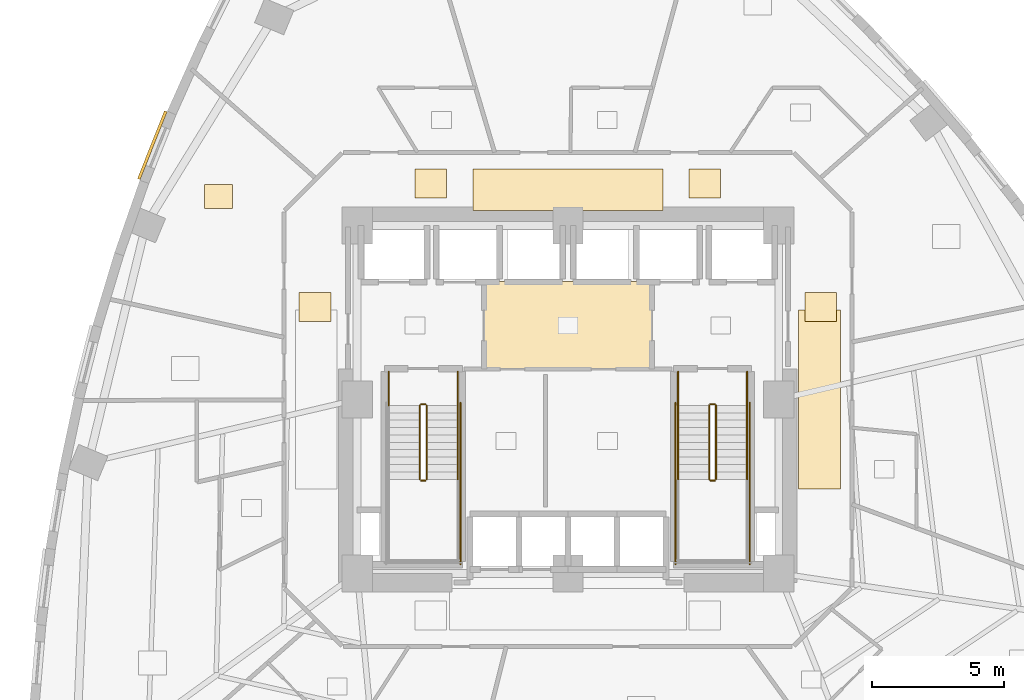
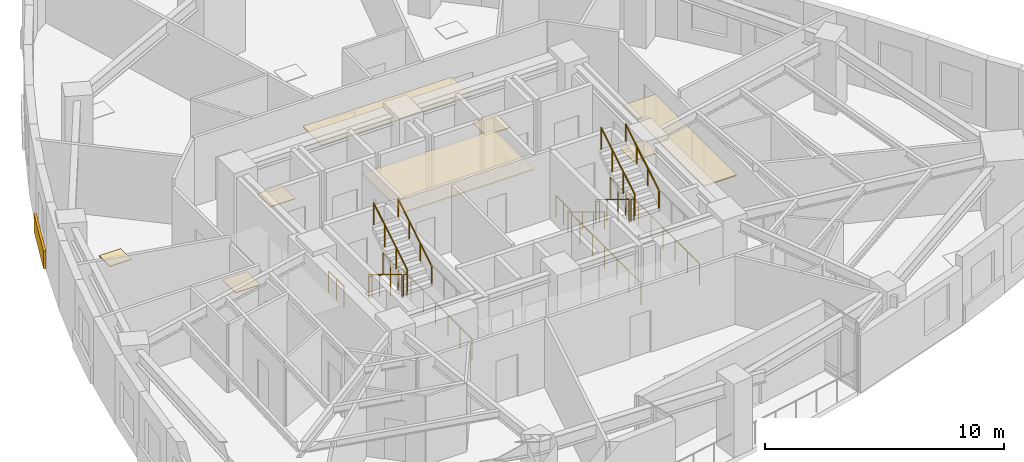
# One storey, part 11 of 12: 18 railings, 9 coverings.
"""IFC4 building model written with IfcOpenShell, lengths in metres."""

import ifcopenshell
import ifcopenshell.guid

model = None  # the IFC model being written
_history = None  # IfcOwnerHistory: only IFC2X3 demands one
_inside = {}  # id of a spatial element -> (the spatial element, [elements in it])
_under = {}  # id of a project, library or spatial element -> (it, [spatial elements below it])
_declared = {}  # id of a project -> (the project, [libraries it declares])
_typed = {}  # id of a type object -> (the type object, [elements of that type])
_made_of = {}  # id of a material, layer set ... -> (it, [elements and type objects made of it])


def new_model(schema):
    """Start an empty IFC model of exactly this schema.

    Asked for "IFC4X3", IfcOpenShell would pick the latest addendum, in which some entities
    have other attributes; the version numbers below select the first issue.
    IFC2X3 requires an IfcOwnerHistory on every rooted entity: one is made here for all.
    """
    global model, _history
    if schema == "IFC4X3":
        model = ifcopenshell.file(schema_version=(4, 3, 0, 0))
    else:
        model = ifcopenshell.file(schema=schema)
    _inside.clear()
    _under.clear()
    _declared.clear()
    _typed.clear()
    _made_of.clear()
    _history = None
    if model.schema == "IFC2X3":
        org = make("IfcOrganization", Name="unknown")
        user = make(
            "IfcPersonAndOrganization",
            ThePerson=make("IfcPerson", FamilyName="unknown"),
            TheOrganization=org,
        )
        app = make(
            "IfcApplication",
            ApplicationDeveloper=org,
            Version="unknown",
            ApplicationFullName="unknown",
            ApplicationIdentifier="unknown",
        )
        _history = make(
            "IfcOwnerHistory",
            OwningUser=user,
            OwningApplication=app,
            ChangeAction="ADDED",
            CreationDate=0,
        )
    return model


def make(cls, **values):
    """One entity of the class cls with the attributes given. An attribute that is None is left unset."""
    return model.create_entity(
        cls, **{name: value for name, value in values.items() if value is not None}
    )


def rooted(cls, **values):
    """An entity with a GlobalId (a new one), such as an element, a storey or a relation."""
    return make(cls, GlobalId=ifcopenshell.guid.new(), OwnerHistory=_history, **values)


def si_unit(unit_type, name, prefix=None):
    """IfcSIUnit, for example si_unit("LENGTHUNIT", "METRE", prefix="MILLI")."""
    return make("IfcSIUnit", UnitType=unit_type, Prefix=prefix, Name=name)


def assignment(units):
    """IfcUnitAssignment: the units of a project."""
    return None if units is None else make("IfcUnitAssignment", Units=units)


def point(xyz):
    """IfcCartesianPoint."""
    return None if xyz is None else make("IfcCartesianPoint", Coordinates=xyz)


def direction(xyz):
    """IfcDirection."""
    return None if xyz is None else make("IfcDirection", DirectionRatios=xyz)


def frame(location, z_axis=None, x_axis=None):
    """IfcAxis2Placement3D, a coordinate frame: its origin and axes. An axis left out is left unset."""
    return make(
        "IfcAxis2Placement3D",
        Location=point(location),
        Axis=direction(z_axis),
        RefDirection=direction(x_axis),
    )


def frame_2d(location, x_axis=None):
    """IfcAxis2Placement2D, a coordinate frame in the plane: its origin and x axis."""
    return make(
        "IfcAxis2Placement2D", Location=point(location), RefDirection=direction(x_axis)
    )


def origin():
    """The frame at (0, 0, 0) with its axes left unset."""
    return frame((0.0, 0.0, 0.0))


def origin_2d():
    """The frame at (0, 0) in the plane with its x axis left unset."""
    return frame_2d((0.0, 0.0))


def place(relative_to, where):
    """IfcLocalPlacement: puts the frame where relative to a parent placement (None: the world)."""
    return make(
        "IfcLocalPlacement", PlacementRelTo=relative_to, RelativePlacement=where
    )


def context(
    kind, dimensions, precision=None, world=None, true_north=None, identifier=None
):
    """IfcGeometricRepresentationContext, for example the 3D "Model" context."""
    return make(
        "IfcGeometricRepresentationContext",
        ContextIdentifier=identifier,
        ContextType=kind,
        CoordinateSpaceDimension=dimensions,
        Precision=precision,
        WorldCoordinateSystem=world,
        TrueNorth=true_north,
    )


def subcontext(parent, identifier, kind, view, scale=None):
    """IfcGeometricRepresentationSubContext, for example "Body" below "Model"."""
    return make(
        "IfcGeometricRepresentationSubContext",
        ContextIdentifier=identifier,
        ContextType=kind,
        ParentContext=parent,
        TargetScale=scale,
        TargetView=view,
    )


def project(units=None, contexts=None):
    """IfcProject with its units and contexts."""
    return rooted(
        "IfcProject",
        Name="project",
        RepresentationContexts=contexts,
        UnitsInContext=assignment(units),
    )


def spatial(cls, under=None, at=None, **own):
    """A site, building, storey or space (cls), placed at a placement, below another one or the project."""
    s = rooted(cls, ObjectPlacement=at, **own)
    if under is not None:
        _under.setdefault(under.id(), (under, []))[1].append(s)
    return s


def profile(cls, at=None, kind="AREA", **sizes):
    """A parametric profile (cls). Its sizes go by their IFC names, for example OverallWidth=200.0."""
    return make(cls, ProfileType=kind, Position=at, **sizes)


def rectangle(**sizes):
    """IfcRectangleProfileDef."""
    return profile("IfcRectangleProfileDef", **sizes)


def circle(**sizes):
    """IfcCircleProfileDef."""
    return profile("IfcCircleProfileDef", **sizes)


def extrude(swept, where, along, depth):
    """IfcExtrudedAreaSolid: the profile swept, set in the frame where, extruded along a direction by depth."""
    return make(
        "IfcExtrudedAreaSolid",
        SweptArea=swept,
        Position=where,
        ExtrudedDirection=direction(along),
        Depth=depth,
    )


def shape(context_of_items, identifier, shape_type, items):
    """IfcShapeRepresentation: the items that make up one representation, for example the "Body"."""
    return make(
        "IfcShapeRepresentation",
        ContextOfItems=context_of_items,
        RepresentationIdentifier=identifier,
        RepresentationType=shape_type,
        Items=items,
    )


def material(Name=None, Category=None):
    """IfcMaterial."""
    return make("IfcMaterial", Name=Name, Category=Category)


def layer(
    of_material, thickness, ventilated=None, Name=None, Category=None, Priority=None
):
    """IfcMaterialLayer: one layer of a wall or slab, of a material (None: an air gap)."""
    return make(
        "IfcMaterialLayer",
        Material=of_material,
        LayerThickness=thickness,
        IsVentilated=ventilated,
        Name=Name,
        Category=Category,
        Priority=Priority,
    )


def layer_set(layers, Name=None):
    """IfcMaterialLayerSet."""
    return make("IfcMaterialLayerSet", MaterialLayers=layers, LayerSetName=Name)


def made_of(thing, what):
    """Note that an element or type object is made of a material, layer set ...; save() writes the relation."""
    if what is not None:
        _made_of.setdefault(what.id(), (what, []))[1].append(thing)
    return thing


def type_object(cls, material=None, **own):
    """A type object (cls), such as IfcWallType, which elements share."""
    return made_of(rooted(cls, **own), material)


def element(
    cls,
    number,
    at=None,
    inside=None,
    cuts=None,
    type_object=None,
    material=None,
    context=None,
    identifier="Body",
    shape_type=None,
    held_by="IfcProductDefinitionShape",
    body=None,
    shapes=None,
    **own,
):
    """One element of the class cls, such as IfcWall. Its Tag is "e" and its number.

    at: its placement. inside: the storey or other place that contains it. cuts: it is an
    opening in that element (IfcRelVoidsElement). A single representation is given by context,
    identifier, shape_type and body (its items); several are given by shapes. held_by: the class
    of the entity that holds the representations. save() writes the other relations.
    """
    e = rooted(cls, Tag="e%d" % number, ObjectPlacement=at, **own)
    if body is not None:
        shapes = [shape(context, identifier, shape_type, body)]
    if shapes is not None:
        e.Representation = make(held_by, Representations=shapes)
    if inside is not None:
        _inside.setdefault(inside.id(), (inside, []))[1].append(e)
    if cuts is not None:
        rooted(
            "IfcRelVoidsElement", RelatingBuildingElement=cuts, RelatedOpeningElement=e
        )
    if type_object is not None:
        _typed.setdefault(type_object.id(), (type_object, []))[1].append(e)
    return made_of(e, material)


def aggregate(whole, parts):
    """IfcRelAggregates: a whole, such as a stair, and the parts it consists of."""
    return rooted("IfcRelAggregates", RelatingObject=whole, RelatedObjects=parts)


def save(model, path):
    """Write the relations noted so far, then the file.

    IfcRelAggregates (storeys below a building ...), IfcRelContainedInSpatialStructure (elements
    in a storey), IfcRelDefinesByType, IfcRelAssociatesMaterial and IfcRelDeclares: one each for
    every whole, place, type object, material and project.
    """
    for whole, parts in _under.values():
        aggregate(whole, parts)
    for where, things in _inside.values():
        rooted(
            "IfcRelContainedInSpatialStructure",
            RelatedElements=things,
            RelatingStructure=where,
        )
    for kind, things in _typed.values():
        rooted("IfcRelDefinesByType", RelatedObjects=things, RelatingType=kind)
    for what, things in _made_of.values():
        rooted("IfcRelAssociatesMaterial", RelatedObjects=things, RelatingMaterial=what)
    for by, libraries in _declared.values():
        rooted("IfcRelDeclares", RelatingContext=by, RelatedDefinitions=libraries)
    model.write(path)


model = new_model("IFC4")

# Units and contexts
model_context = context("Model", 3, precision=1e-05, world=origin(), true_north=direction((0.0, 1.0)))
body_context = subcontext(model_context, "Body", "Model", "MODEL_VIEW")
ifc_project = project(units=[si_unit("LENGTHUNIT", "METRE"), si_unit("AREAUNIT", "SQUARE_METRE"), si_unit("VOLUMEUNIT", "CUBIC_METRE"), si_unit("PLANEANGLEUNIT", "RADIAN"), si_unit("MASSUNIT", "GRAM", prefix="KILO")], contexts=[model_context])

# Site, building, storey
site_placement = place(None, origin())
site = spatial("IfcSite", under=ifc_project, at=site_placement, CompositionType="ELEMENT")
building_placement = place(site_placement, origin())
building = spatial("IfcBuilding", under=site, at=building_placement, Name="Ndelora Gate Hotel", CompositionType="ELEMENT")
storey_placement = place(building_placement, frame((0.0, 0.0, 75.5)))
storey = spatial("IfcBuildingStorey", under=building, at=storey_placement, Name="L18", CompositionType="ELEMENT", Elevation=75.5)

# Coverings
ifc_material_1 = material(Name="Perforated Acoustic Gypsum Board", Category="gypsum")
ifc_layer_1 = layer(ifc_material_1, 0.054931640625)
ifc_layer_set_1 = layer_set([ifc_layer_1], Name="Perforated Acoustic Gypsum Board")
covering_type_1 = type_object("IfcCoveringType", Name="COV-CEIL-AC60", PredefinedType="CEILING", material=ifc_layer_set_1)
covering_1_placement = place(storey_placement, frame((0.0, 2.800048828125, 2.72265625), z_axis=(0.0, 0.0, 1.0), x_axis=(1.0, 0.0, 0.0)))
element("IfcCovering", 1, at=covering_1_placement, inside=storey, type_object=covering_type_1, Name="L18 Lift Lobby Acoustic Ceiling", PredefinedType="CEILING", context=body_context, shape_type="SweptSolid", body=[
    extrude(rectangle(XDim=6.39990234375, YDim=3.340087890625, at=origin_2d()), origin(), (0.0, 0.0, 1.0), 0.054931640625),
])
covering_2_placement = place(storey_placement, frame((0.0, 7.9599609375, 2.65234375), z_axis=(0.0, 0.0, 1.0), x_axis=(1.0, 0.0, 0.0)))
element("IfcCovering", 2, at=covering_2_placement, inside=storey, type_object=covering_type_1, Name="L18 Guest Corridor Acoustic Ceiling N", PredefinedType="CEILING", context=body_context, shape_type="SweptSolid", body=[
    extrude(rectangle(XDim=7.199951171875, YDim=1.580078125, at=origin_2d()), origin(), (0.0, 0.0, 1.0), 0.054931640625),
])
covering_3_placement = place(storey_placement, frame((9.550048828125, 0.0, 2.65234375), z_axis=(0.0, 0.0, 1.0), x_axis=(1.0, 0.0, 0.0)))
element("IfcCovering", 3, at=covering_3_placement, inside=storey, type_object=covering_type_1, Name="L18 Guest Corridor Acoustic Ceiling E", PredefinedType="CEILING", context=body_context, shape_type="SweptSolid", body=[
    extrude(rectangle(XDim=1.580078125, YDim=6.800048828125, at=origin_2d()), origin(), (0.0, 0.0, 1.0), 0.054931640625),
])
ifc_material_2 = material(Name="Terracotta Fired Clay Brick Slip Cladding", Category="masonry")
ifc_layer_2 = layer(ifc_material_2, 0.110107421875)
ifc_layer_set_2 = layer_set([ifc_layer_2], Name="Terracotta Fired Clay Brick Slip Cladding")
covering_type_2 = type_object("IfcCoveringType", Name="COV-CLAD-BRK", PredefinedType="CLADDING", material=ifc_layer_set_2)
covering_4_placement = place(storey_placement, frame((-15.774169921875, 9.650146484375, 0.10009765625), z_axis=(0.0, 0.0, 1.0), x_axis=(0.369260213935, 0.929326043111, 0.0)))
element("IfcCovering", 4, at=covering_4_placement, inside=storey, type_object=covering_type_2, Name="L18 Rounded-Corner Brick Cladding Band 13", PredefinedType="CLADDING", context=body_context, shape_type="SweptSolid", body=[
    extrude(rectangle(XDim=2.764892578125, YDim=0.110107421875, at=origin_2d()), origin(), (0.0, 0.0, 1.0), 0.89990234375),
])
ifc_material_3 = material(Name="Engineered Highland Oak Parquet", Category="wood")
ifc_layer_3 = layer(ifc_material_3, 0.030029296875)
ifc_layer_set_3 = layer_set([ifc_layer_3], Name="Engineered Highland Oak Parquet")
covering_type_3 = type_object("IfcCoveringType", Name="COV-FLR-PARQ", PredefinedType="FLOORING", material=ifc_layer_set_3)
covering_5_placement = place(storey_placement, frame((-13.259033203125, 7.698486328125, 0.0), z_axis=(0.0, 0.0, 1.0), x_axis=(1.0, 0.0, 0.0)))
element("IfcCovering", 5, at=covering_5_placement, inside=storey, type_object=covering_type_3, Name="L18 Espresso Cocktail Bar Oak Parquet Flooring", PredefinedType="FLOORING", context=body_context, shape_type="SweptSolid", body=[
    extrude(rectangle(XDim=1.050048828125, YDim=0.89990234375, at=origin_2d()), origin(), (0.0, 0.0, 1.0), 0.030029296875),
])
ifc_material_4 = material(Name="Polished Highland Stone Terrazzo", Category="masonry")
ifc_layer_4 = layer(ifc_material_4, 0.034912109375)
ifc_layer_set_4 = layer_set([ifc_layer_4], Name="Polished Highland Stone Terrazzo")
covering_type_4 = type_object("IfcCoveringType", Name="COV-FLR-TERZ", PredefinedType="FLOORING", material=ifc_layer_set_4)
for number, where, z_axis, x_axis, name in (
    (6, (-5.199951171875, 8.199951171875, 0.0), (0.0, 0.0, 1.0), (1.0, 0.0, 0.0), "L18 Corridor Threshold Terrazzo Inlay NW"),
    (7, (5.199951171875, 8.199951171875, 0.0), (0.0, 0.0, 1.0), (1.0, 0.0, 0.0), "L18 Corridor Threshold Terrazzo Inlay NE"),
    (8, (-9.60009765625, 3.5, 0.0), (0.0, 0.0, 1.0), (1.0, 0.0, 0.0), "L18 Corridor Threshold Terrazzo Inlay W"),
    (9, (9.60009765625, 3.5, 0.0), (0.0, 0.0, 1.0), (1.0, 0.0, 0.0), "L18 Corridor Threshold Terrazzo Inlay E"),
):
    element("IfcCovering", number, at=place(storey_placement, frame(where, z_axis=z_axis, x_axis=x_axis)), inside=storey, type_object=covering_type_4, Name=name, PredefinedType="FLOORING", context=body_context, shape_type="SweptSolid", body=[
        extrude(rectangle(XDim=1.199951171875, YDim=1.10009765625, at=origin_2d()), origin(), (0.0, 0.0, 1.0), 0.034912109375),
    ])

# Railings
ifc_material_5 = material(Name="Painted Galvanized Steel Balustrade", Category="steel")
ifc_layer_5 = layer(ifc_material_5, 0.06005859375)
ifc_layer_set_5 = layer_set([ifc_layer_5], Name="Painted Galvanized Steel Balustrade")
railing_type_1 = type_object("IfcRailingType", Name="RL-STAIR-GD", PredefinedType="GUARDRAIL", material=ifc_layer_set_5)
railing_1_placement = place(storey_placement, frame((-5.6201171875, -0.22998046875, 0.17041015625)))
element("IfcRailing", 10, at=railing_1_placement, inside=storey, type_object=railing_type_1, Name="L18 ST4 stair guard 1", PredefinedType="GUARDRAIL", context=body_context, shape_type="SweptSolid", body=[
    extrude(circle(Radius=0.02392578125, at=origin_2d()), frame((0.0, 0.0, 1.10595703125), z_axis=(0.0, -0.854169791009, 0.51999420009), x_axis=(1.0, 0.0, 0.0)), (0.0, 0.0, 1.0), 3.278076171875),
    extrude(circle(Radius=0.02099609375, at=origin_2d()), origin(), (0.0, 0.0, 1.0), 1.081787109375),
    extrude(circle(Radius=0.02099609375, at=origin_2d()), frame((0.0, -0.933349609375, 0.568115234375)), (0.0, 0.0, 1.0), 1.081787109375),
    extrude(circle(Radius=0.02099609375, at=origin_2d()), frame((0.0, -1.86669921875, 1.136474609375)), (0.0, 0.0, 1.0), 1.081787109375),
    extrude(circle(Radius=0.02099609375, at=origin_2d()), frame((0.0, -2.800048828125, 1.70458984375)), (0.0, 0.0, 1.0), 1.081787109375),
])
railing_2_placement = place(storey_placement, frame((-5.570068359375, -3.080078125, 1.875)))
element("IfcRailing", 11, at=railing_2_placement, inside=storey, type_object=railing_type_1, Name="L18 ST4 stair guard 2", PredefinedType="GUARDRAIL", context=body_context, shape_type="SweptSolid", body=[
    extrude(circle(Radius=0.02392578125, at=origin_2d()), frame((0.0, 0.0, 1.10595703125), z_axis=(1.0, 0.0, 0.0), x_axis=(0.0, 1.0, 0.0)), (0.0, 0.0, 1.0), 0.16015625),
    extrude(circle(Radius=0.02099609375, at=origin_2d()), origin(), (0.0, 0.0, 1.0), 1.081787109375),
    extrude(circle(Radius=0.02099609375, at=origin_2d()), frame((0.16015625, 0.0, 0.0)), (0.0, 0.0, 1.0), 1.081787109375),
])
railing_3_placement = place(storey_placement, frame((-5.360107421875, -3.030029296875, 2.04541015625)))
element("IfcRailing", 12, at=railing_3_placement, inside=storey, type_object=railing_type_1, Name="L18 ST4 stair guard 6", PredefinedType="GUARDRAIL", context=body_context, shape_type="SweptSolid", body=[
    extrude(circle(Radius=0.02392578125, at=origin_2d()), frame((0.0, 0.0, 1.10595703125), z_axis=(0.0, 0.854169791009, 0.51999420009), x_axis=(-1.0, 0.0, 0.0)), (0.0, 0.0, 1.0), 3.278076171875),
    extrude(circle(Radius=0.02099609375, at=origin_2d()), origin(), (0.0, 0.0, 1.0), 1.081787109375),
    extrude(circle(Radius=0.02099609375, at=origin_2d()), frame((0.0, 0.933349609375, 0.568115234375)), (0.0, 0.0, 1.0), 1.081787109375),
    extrude(circle(Radius=0.02099609375, at=origin_2d()), frame((0.0, 1.86669921875, 1.136474609375)), (0.0, 0.0, 1.0), 1.081787109375),
    extrude(circle(Radius=0.02099609375, at=origin_2d()), frame((0.0, 2.800048828125, 1.70458984375)), (0.0, 0.0, 1.0), 1.081787109375),
])
railing_4_placement = place(storey_placement, frame((-5.570068359375, -0.179931640625, 0.0)))
element("IfcRailing", 13, at=railing_4_placement, inside=storey, type_object=railing_type_1, Name="L18 ST4 stair guard 7", PredefinedType="GUARDRAIL", context=body_context, shape_type="SweptSolid", body=[
    extrude(circle(Radius=0.02392578125, at=origin_2d()), frame((0.0, 0.0, 1.10595703125), z_axis=(1.0, 0.0, 0.0), x_axis=(0.0, 1.0, 0.0)), (0.0, 0.0, 1.0), 0.16015625),
    extrude(circle(Radius=0.02099609375, at=origin_2d()), origin(), (0.0, 0.0, 1.0), 1.081787109375),
    extrude(circle(Radius=0.02099609375, at=origin_2d()), frame((0.16015625, 0.0, 0.0)), (0.0, 0.0, 1.0), 1.081787109375),
])
for number, where, name in (
    (14, (-6.800048828125, 1.050048828125, 0.0), "L18 ST4 stair guard 8"),
    (15, (-4.179931640625, 1.050048828125, 0.0), "L18 ST4 stair guard 9"),
):
    element("IfcRailing", number, at=place(storey_placement, frame(where)), inside=storey, type_object=railing_type_1, Name=name, PredefinedType="GUARDRAIL", context=body_context, shape_type="SweptSolid", body=[
        extrude(circle(Radius=0.02392578125, at=origin_2d()), frame((0.0, 0.0, 1.10595703125), z_axis=(0.0, -1.0, 0.0), x_axis=(1.0, 0.0, 0.0)), (0.0, 0.0, 1.0), 1.280029296875),
        extrude(circle(Radius=0.02099609375, at=origin_2d()), origin(), (0.0, 0.0, 1.0), 1.081787109375),
        extrude(circle(Radius=0.02099609375, at=origin_2d()), frame((0.0, -0.64013671875, 0.0)), (0.0, 0.0, 1.0), 1.081787109375),
        extrude(circle(Radius=0.02099609375, at=origin_2d()), frame((0.0, -1.280029296875, 0.0)), (0.0, 0.0, 1.0), 1.081787109375),
    ])
railing_5_placement = place(storey_placement, frame((-4.080078125, -0.1298828125, 0.0)))
element("IfcRailing", 16, at=railing_5_placement, inside=storey, type_object=railing_type_1, Name="L18 ST4 stair guard 11", PredefinedType="GUARDRAIL", context=body_context, shape_type="SweptSolid", body=[
    extrude(circle(Radius=0.02392578125, at=origin_2d()), frame((0.0, 0.0, 1.10595703125), z_axis=(0.0, -1.0, 0.0), x_axis=(1.0, 0.0, 0.0)), (0.0, 0.0, 1.0), 6.1201171875),
    extrude(circle(Radius=0.02099609375, at=origin_2d()), origin(), (0.0, 0.0, 1.0), 1.081787109375),
    extrude(circle(Radius=0.02099609375, at=origin_2d()), frame((0.0, -1.02001953125, 0.0)), (0.0, 0.0, 1.0), 1.081787109375),
    extrude(circle(Radius=0.02099609375, at=origin_2d()), frame((0.0, -2.0400390625, 0.0)), (0.0, 0.0, 1.0), 1.081787109375),
    extrude(circle(Radius=0.02099609375, at=origin_2d()), frame((0.0, -3.06005859375, 0.0)), (0.0, 0.0, 1.0), 1.081787109375),
    extrude(circle(Radius=0.02099609375, at=origin_2d()), frame((0.0, -4.080078125, 0.0)), (0.0, 0.0, 1.0), 1.081787109375),
    extrude(circle(Radius=0.02099609375, at=origin_2d()), frame((0.0, -5.10009765625, 0.0)), (0.0, 0.0, 1.0), 1.081787109375),
    extrude(circle(Radius=0.02099609375, at=origin_2d()), frame((0.0, -6.1201171875, 0.0)), (0.0, 0.0, 1.0), 1.081787109375),
])
railing_6_placement = place(storey_placement, frame((5.360107421875, -0.22998046875, 0.17041015625)))
element("IfcRailing", 17, at=railing_6_placement, inside=storey, type_object=railing_type_1, Name="L18 ST5 stair guard 1", PredefinedType="GUARDRAIL", context=body_context, shape_type="SweptSolid", body=[
    extrude(circle(Radius=0.02392578125, at=origin_2d()), frame((0.0, 0.0, 1.10595703125), z_axis=(0.0, -0.854169791009, 0.51999420009), x_axis=(1.0, 0.0, 0.0)), (0.0, 0.0, 1.0), 3.278076171875),
    extrude(circle(Radius=0.02099609375, at=origin_2d()), origin(), (0.0, 0.0, 1.0), 1.081787109375),
    extrude(circle(Radius=0.02099609375, at=origin_2d()), frame((0.0, -0.933349609375, 0.568115234375)), (0.0, 0.0, 1.0), 1.081787109375),
    extrude(circle(Radius=0.02099609375, at=origin_2d()), frame((0.0, -1.86669921875, 1.136474609375)), (0.0, 0.0, 1.0), 1.081787109375),
    extrude(circle(Radius=0.02099609375, at=origin_2d()), frame((0.0, -2.800048828125, 1.70458984375)), (0.0, 0.0, 1.0), 1.081787109375),
])
railing_7_placement = place(storey_placement, frame((5.409912109375, -3.080078125, 1.875)))
element("IfcRailing", 18, at=railing_7_placement, inside=storey, type_object=railing_type_1, Name="L18 ST5 stair guard 2", PredefinedType="GUARDRAIL", context=body_context, shape_type="SweptSolid", body=[
    extrude(circle(Radius=0.02392578125, at=origin_2d()), frame((0.0, 0.0, 1.10595703125), z_axis=(1.0, 0.0, 0.0), x_axis=(0.0, 1.0, 0.0)), (0.0, 0.0, 1.0), 0.16015625),
    extrude(circle(Radius=0.02099609375, at=origin_2d()), origin(), (0.0, 0.0, 1.0), 1.081787109375),
    extrude(circle(Radius=0.02099609375, at=origin_2d()), frame((0.16015625, 0.0, 0.0)), (0.0, 0.0, 1.0), 1.081787109375),
])
railing_8_placement = place(storey_placement, frame((5.6201171875, -3.030029296875, 2.04541015625)))
element("IfcRailing", 19, at=railing_8_placement, inside=storey, type_object=railing_type_1, Name="L18 ST5 stair guard 6", PredefinedType="GUARDRAIL", context=body_context, shape_type="SweptSolid", body=[
    extrude(circle(Radius=0.02392578125, at=origin_2d()), frame((0.0, 0.0, 1.10595703125), z_axis=(0.0, 0.854169791009, 0.51999420009), x_axis=(-1.0, 0.0, 0.0)), (0.0, 0.0, 1.0), 3.278076171875),
    extrude(circle(Radius=0.02099609375, at=origin_2d()), origin(), (0.0, 0.0, 1.0), 1.081787109375),
    extrude(circle(Radius=0.02099609375, at=origin_2d()), frame((0.0, 0.933349609375, 0.568115234375)), (0.0, 0.0, 1.0), 1.081787109375),
    extrude(circle(Radius=0.02099609375, at=origin_2d()), frame((0.0, 1.86669921875, 1.136474609375)), (0.0, 0.0, 1.0), 1.081787109375),
    extrude(circle(Radius=0.02099609375, at=origin_2d()), frame((0.0, 2.800048828125, 1.70458984375)), (0.0, 0.0, 1.0), 1.081787109375),
])
railing_9_placement = place(storey_placement, frame((5.409912109375, -0.179931640625, 0.0)))
element("IfcRailing", 20, at=railing_9_placement, inside=storey, type_object=railing_type_1, Name="L18 ST5 stair guard 7", PredefinedType="GUARDRAIL", context=body_context, shape_type="SweptSolid", body=[
    extrude(circle(Radius=0.02392578125, at=origin_2d()), frame((0.0, 0.0, 1.10595703125), z_axis=(1.0, 0.0, 0.0), x_axis=(0.0, 1.0, 0.0)), (0.0, 0.0, 1.0), 0.16015625),
    extrude(circle(Radius=0.02099609375, at=origin_2d()), origin(), (0.0, 0.0, 1.0), 1.081787109375),
    extrude(circle(Radius=0.02099609375, at=origin_2d()), frame((0.16015625, 0.0, 0.0)), (0.0, 0.0, 1.0), 1.081787109375),
])
for number, where, name in (
    (21, (4.179931640625, 1.050048828125, 0.0), "L18 ST5 stair guard 8"),
    (22, (6.800048828125, 1.050048828125, 0.0), "L18 ST5 stair guard 9"),
):
    element("IfcRailing", number, at=place(storey_placement, frame(where)), inside=storey, type_object=railing_type_1, Name=name, PredefinedType="GUARDRAIL", context=body_context, shape_type="SweptSolid", body=[
        extrude(circle(Radius=0.02392578125, at=origin_2d()), frame((0.0, 0.0, 1.10595703125), z_axis=(0.0, -1.0, 0.0), x_axis=(1.0, 0.0, 0.0)), (0.0, 0.0, 1.0), 1.280029296875),
        extrude(circle(Radius=0.02099609375, at=origin_2d()), origin(), (0.0, 0.0, 1.0), 1.081787109375),
        extrude(circle(Radius=0.02099609375, at=origin_2d()), frame((0.0, -0.64013671875, 0.0)), (0.0, 0.0, 1.0), 1.081787109375),
        extrude(circle(Radius=0.02099609375, at=origin_2d()), frame((0.0, -1.280029296875, 0.0)), (0.0, 0.0, 1.0), 1.081787109375),
    ])
for number, where, name in (
    (23, (4.080078125, -0.1298828125, 0.0), "L18 ST5 stair guard 10"),
    (24, (6.89990234375, -0.1298828125, 0.0), "L18 ST5 stair guard 11"),
):
    element("IfcRailing", number, at=place(storey_placement, frame(where)), inside=storey, type_object=railing_type_1, Name=name, PredefinedType="GUARDRAIL", context=body_context, shape_type="SweptSolid", body=[
        extrude(circle(Radius=0.02392578125, at=origin_2d()), frame((0.0, 0.0, 1.10595703125), z_axis=(0.0, -1.0, 0.0), x_axis=(1.0, 0.0, 0.0)), (0.0, 0.0, 1.0), 6.1201171875),
        extrude(circle(Radius=0.02099609375, at=origin_2d()), origin(), (0.0, 0.0, 1.0), 1.081787109375),
        extrude(circle(Radius=0.02099609375, at=origin_2d()), frame((0.0, -1.02001953125, 0.0)), (0.0, 0.0, 1.0), 1.081787109375),
        extrude(circle(Radius=0.02099609375, at=origin_2d()), frame((0.0, -2.0400390625, 0.0)), (0.0, 0.0, 1.0), 1.081787109375),
        extrude(circle(Radius=0.02099609375, at=origin_2d()), frame((0.0, -3.06005859375, 0.0)), (0.0, 0.0, 1.0), 1.081787109375),
        extrude(circle(Radius=0.02099609375, at=origin_2d()), frame((0.0, -4.080078125, 0.0)), (0.0, 0.0, 1.0), 1.081787109375),
        extrude(circle(Radius=0.02099609375, at=origin_2d()), frame((0.0, -5.10009765625, 0.0)), (0.0, 0.0, 1.0), 1.081787109375),
        extrude(circle(Radius=0.02099609375, at=origin_2d()), frame((0.0, -6.1201171875, 0.0)), (0.0, 0.0, 1.0), 1.081787109375),
    ])
ifc_material_6 = material(Name="Brushed Stainless Steel 316", Category="steel")
ifc_layer_6 = layer(ifc_material_6, 0.050048828125)
ifc_layer_set_6 = layer_set([ifc_layer_6], Name="Brushed Stainless Steel 316")
railing_type_2 = type_object("IfcRailingType", Name="RL-STAIR-HR", PredefinedType="HANDRAIL", material=ifc_layer_set_6)
railing_10_placement = place(storey_placement, frame((-4.179931640625, -3.030029296875, 2.04541015625)))
element("IfcRailing", 25, at=railing_10_placement, inside=storey, type_object=railing_type_2, Name="L18 ST4 stair handrail 2", PredefinedType="HANDRAIL", context=body_context, shape_type="SweptSolid", body=[
    extrude(circle(Radius=0.02392578125, at=origin_2d()), frame((0.0, 0.0, 0.8759765625), z_axis=(0.0, 0.854169791009, 0.51999420009), x_axis=(-1.0, 0.0, 0.0)), (0.0, 0.0, 1.0), 3.278076171875),
    extrude(circle(Radius=0.02099609375, at=origin_2d()), origin(), (0.0, 0.0, 1.0), 0.851806640625),
    extrude(circle(Radius=0.02099609375, at=origin_2d()), frame((0.0, 0.933349609375, 0.568115234375)), (0.0, 0.0, 1.0), 0.851806640625),
    extrude(circle(Radius=0.02099609375, at=origin_2d()), frame((0.0, 1.86669921875, 1.136474609375)), (0.0, 0.0, 1.0), 0.851806640625),
    extrude(circle(Radius=0.02099609375, at=origin_2d()), frame((0.0, 2.800048828125, 1.70458984375)), (0.0, 0.0, 1.0), 0.851806640625),
])
railing_11_placement = place(storey_placement, frame((4.179931640625, -0.22998046875, 0.17041015625)))
element("IfcRailing", 26, at=railing_11_placement, inside=storey, type_object=railing_type_2, Name="L18 ST5 stair handrail 1", PredefinedType="HANDRAIL", context=body_context, shape_type="SweptSolid", body=[
    extrude(circle(Radius=0.02392578125, at=origin_2d()), frame((0.0, 0.0, 0.8759765625), z_axis=(0.0, -0.854169791009, 0.51999420009), x_axis=(1.0, 0.0, 0.0)), (0.0, 0.0, 1.0), 3.278076171875),
    extrude(circle(Radius=0.02099609375, at=origin_2d()), origin(), (0.0, 0.0, 1.0), 0.851806640625),
    extrude(circle(Radius=0.02099609375, at=origin_2d()), frame((0.0, -0.933349609375, 0.568115234375)), (0.0, 0.0, 1.0), 0.851806640625),
    extrude(circle(Radius=0.02099609375, at=origin_2d()), frame((0.0, -1.86669921875, 1.136474609375)), (0.0, 0.0, 1.0), 0.851806640625),
    extrude(circle(Radius=0.02099609375, at=origin_2d()), frame((0.0, -2.800048828125, 1.70458984375)), (0.0, 0.0, 1.0), 0.851806640625),
])
railing_12_placement = place(storey_placement, frame((6.800048828125, -3.030029296875, 2.04541015625)))
element("IfcRailing", 27, at=railing_12_placement, inside=storey, type_object=railing_type_2, Name="L18 ST5 stair handrail 2", PredefinedType="HANDRAIL", context=body_context, shape_type="SweptSolid", body=[
    extrude(circle(Radius=0.02392578125, at=origin_2d()), frame((0.0, 0.0, 0.8759765625), z_axis=(0.0, 0.854169791009, 0.51999420009), x_axis=(-1.0, 0.0, 0.0)), (0.0, 0.0, 1.0), 3.278076171875),
    extrude(circle(Radius=0.02099609375, at=origin_2d()), origin(), (0.0, 0.0, 1.0), 0.851806640625),
    extrude(circle(Radius=0.02099609375, at=origin_2d()), frame((0.0, 0.933349609375, 0.568115234375)), (0.0, 0.0, 1.0), 0.851806640625),
    extrude(circle(Radius=0.02099609375, at=origin_2d()), frame((0.0, 1.86669921875, 1.136474609375)), (0.0, 0.0, 1.0), 0.851806640625),
    extrude(circle(Radius=0.02099609375, at=origin_2d()), frame((0.0, 2.800048828125, 1.70458984375)), (0.0, 0.0, 1.0), 0.851806640625),
])

save(model, "model.ifc")
